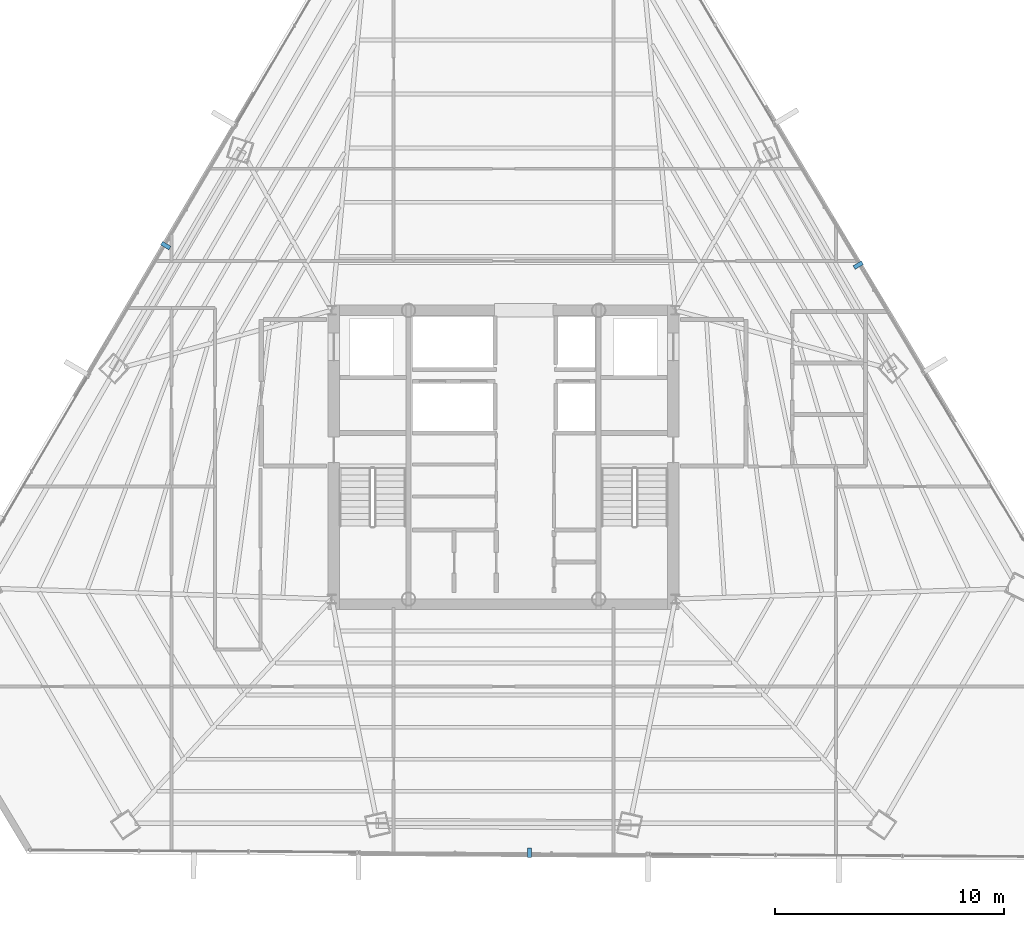
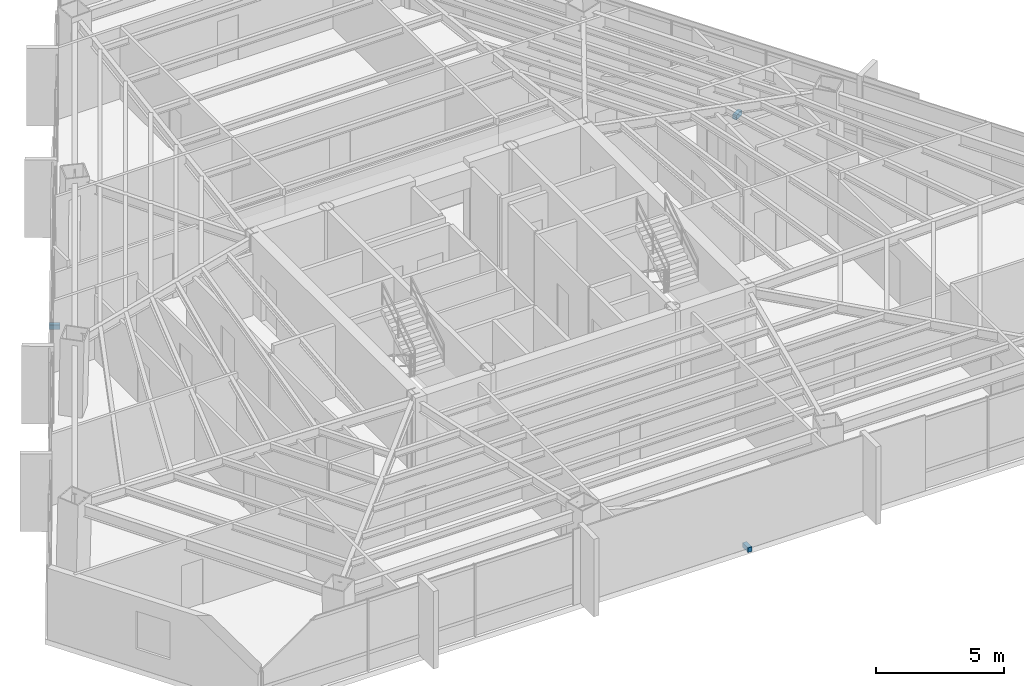
# One storey, part 38 of 41: 3 discrete accessories.
"""IFC4 building model written with IfcOpenShell, lengths in metres."""

from ifc_helpers import new_model, si_unit, direction, frame, origin, origin_2d, place, context, subcontext, project, spatial, rectangle, extrude, source, transform, mapped, material, type_object, type_shapes, element, save


model = new_model("IFC4")

# Units and contexts
model_context = context("Model", 3, precision=1e-05, world=origin(), true_north=direction((0.0, 1.0)))
body_context = subcontext(model_context, "Body", "Model", "MODEL_VIEW")
ifc_project = project(units=[si_unit("LENGTHUNIT", "METRE"), si_unit("AREAUNIT", "SQUARE_METRE"), si_unit("VOLUMEUNIT", "CUBIC_METRE"), si_unit("PLANEANGLEUNIT", "RADIAN"), si_unit("MASSUNIT", "GRAM", prefix="KILO")], contexts=[model_context])

# Site, building, storey
site_placement = place(None, origin())
site = spatial("IfcSite", under=ifc_project, at=site_placement, CompositionType="ELEMENT")
building_placement = place(site_placement, origin())
building = spatial("IfcBuilding", under=site, at=building_placement, Name="Caelisora Broadcast Tower", CompositionType="ELEMENT")
storey_placement = place(building_placement, frame((0.0, 0.0, 165.800048828125)))
storey = spatial("IfcBuildingStorey", under=building, at=storey_placement, Name="L43", CompositionType="ELEMENT", Elevation=165.800048828125)

# Discrete accessories
ifc_material = material(Name="Steel Grade 350 (AS/NZS 3679.1)", Category="steel")
discrete_accessory_type = type_object("IfcDiscreteAccessoryType", Name="BRK-1", PredefinedType="BRACKET", material=ifc_material)
shared_shape = source(origin(), body_context, "Body", "SweptSolid", [
    extrude(rectangle(XDim=0.179931640625, YDim=0.419921875, at=origin_2d()), origin(), (0.0, 0.0, 1.0), 0.219970703125),
])
type_shapes(discrete_accessory_type, [shared_shape])
for number, where, z_axis, x_axis, name in (
    (1, (23.25439453125, 32.82470703125, -0.16015625), (0.0, 0.0, 1.0), (-0.507989441341, -0.861363295878, 0.0), "L43 solar screen outrigger bracket #1"),
    (2, (39.126708984375, 6.324462890625, -0.16015625), (0.0, 0.0, 1.0), (0.999978006703, -0.006632202536, 0.0), "L43 solar screen outrigger bracket #2"),
    (3, (53.480712890625, 31.972412109375, -0.16015625), (0.0, 0.0, 1.0), (-0.513691004814, 0.857975262798, 0.0), "L43 solar screen outrigger bracket #3"),
):
    element("IfcDiscreteAccessory", number, at=place(storey_placement, frame(where, z_axis=z_axis, x_axis=x_axis)), inside=storey, type_object=discrete_accessory_type, Name=name, PredefinedType="BRACKET", context=body_context, shape_type="MappedRepresentation", body=[
        mapped(shared_shape, transform((0.0, 0.0, 0.0), scale=1.0)),
    ])

save(model, "model.ifc")
